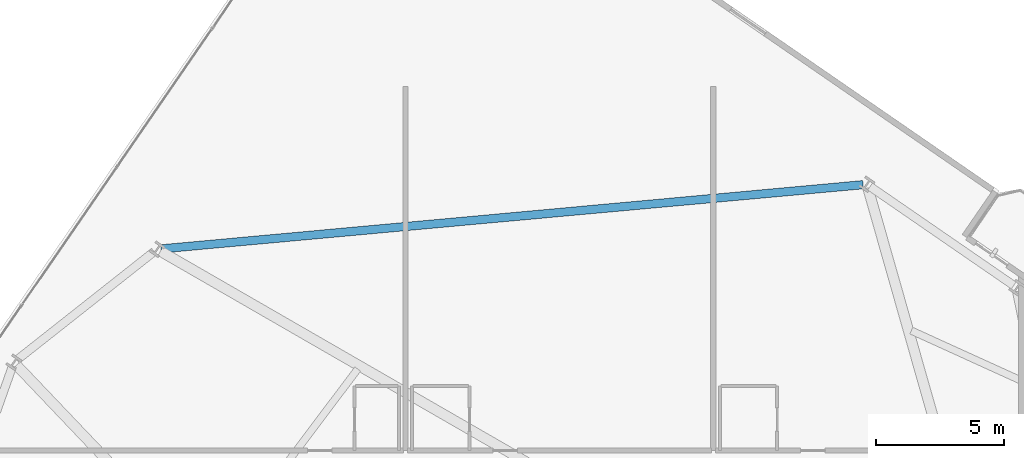
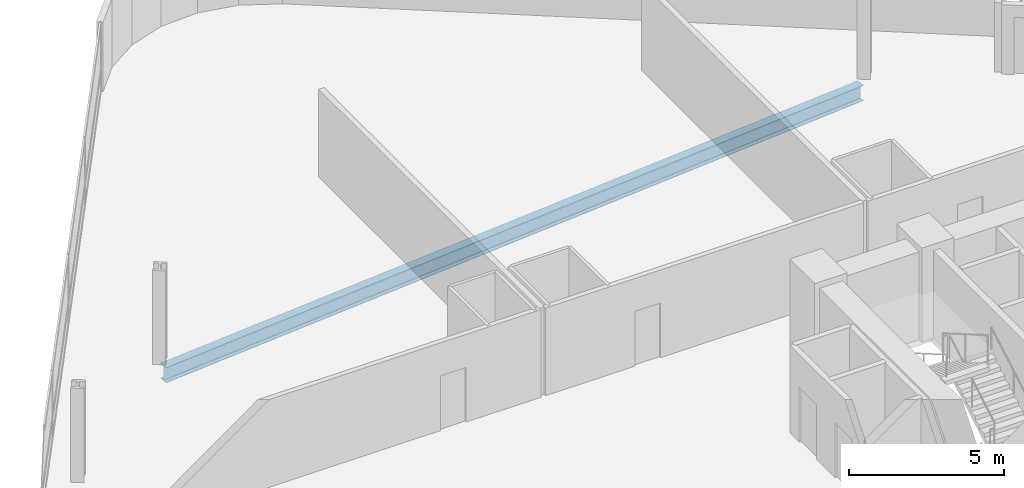
# One storey, part 14 of 25: 1 beam.
"""IFC4 building model written with IfcOpenShell, lengths in metres."""

from ifc_helpers import new_model, si_unit, direction, frame, origin, origin_2d, place, context, subcontext, project, spatial, i_section, extrude, material, material_profile, profile_set, type_object, element, save


model = new_model("IFC4")

# Units and contexts
model_context = context("Model", 3, precision=1e-05, world=origin(), true_north=direction((0.0, 1.0)))
body_context = subcontext(model_context, "Body", "Model", "MODEL_VIEW")
ifc_project = project(units=[si_unit("LENGTHUNIT", "METRE"), si_unit("AREAUNIT", "SQUARE_METRE"), si_unit("VOLUMEUNIT", "CUBIC_METRE"), si_unit("PLANEANGLEUNIT", "RADIAN"), si_unit("MASSUNIT", "GRAM", prefix="KILO")], contexts=[model_context])

# Site, building, storey
site_placement = place(None, origin())
site = spatial("IfcSite", under=ifc_project, at=site_placement, CompositionType="ELEMENT")
building_placement = place(site_placement, origin())
building = spatial("IfcBuilding", under=site, at=building_placement, Name="Varnelok Gate Tower", CompositionType="ELEMENT")
storey_placement = place(building_placement, frame((0.0, 0.0, 56.60009765625)))
storey = spatial("IfcBuildingStorey", under=building, at=storey_placement, Name="L13", CompositionType="ELEMENT", Elevation=56.60009765625)

# Beam
ifc_material = material(Name="Structural Steel ASTM A992 Grade 50", Category="steel")
ifc_material_profile = material_profile(ifc_material, i_section(OverallWidth=0.323974609375, OverallDepth=0.611083984375, WebThickness=0.0126953125, FlangeThickness=0.01904296875, FilletRadius=0.01806640625, at=origin_2d()), Name="W24X104")
ifc_profile_set = profile_set([ifc_material_profile], Name="Structural Steel ASTM A992 Grade 50")
beam_type = type_object("IfcBeamType", Name="BM-SPN-W24X104", PredefinedType="SPANDREL", material=ifc_profile_set)
beam_placement = place(storey_placement, frame((39.8359375, 52.163818359375, -0.5556640625), z_axis=(-0.995845891963, -0.091054705864, 0.0), x_axis=(0.091054705864, -0.995845891963, 0.0)))
element("IfcBeam", 1, at=beam_placement, inside=storey, type_object=beam_type, Name="L13 Perimeter Spandrel Beam 13", PredefinedType="SPANDREL", context=body_context, shape_type="SweptSolid", body=[
    extrude(i_section(OverallWidth=0.323974609375, OverallDepth=0.611083984375, WebThickness=0.0126953125, FlangeThickness=0.01904296875, FilletRadius=0.01806640625, at=origin_2d()), origin(), (0.0, 0.0, 1.0), 27.485595703125),
])

save(model, "model.ifc")
